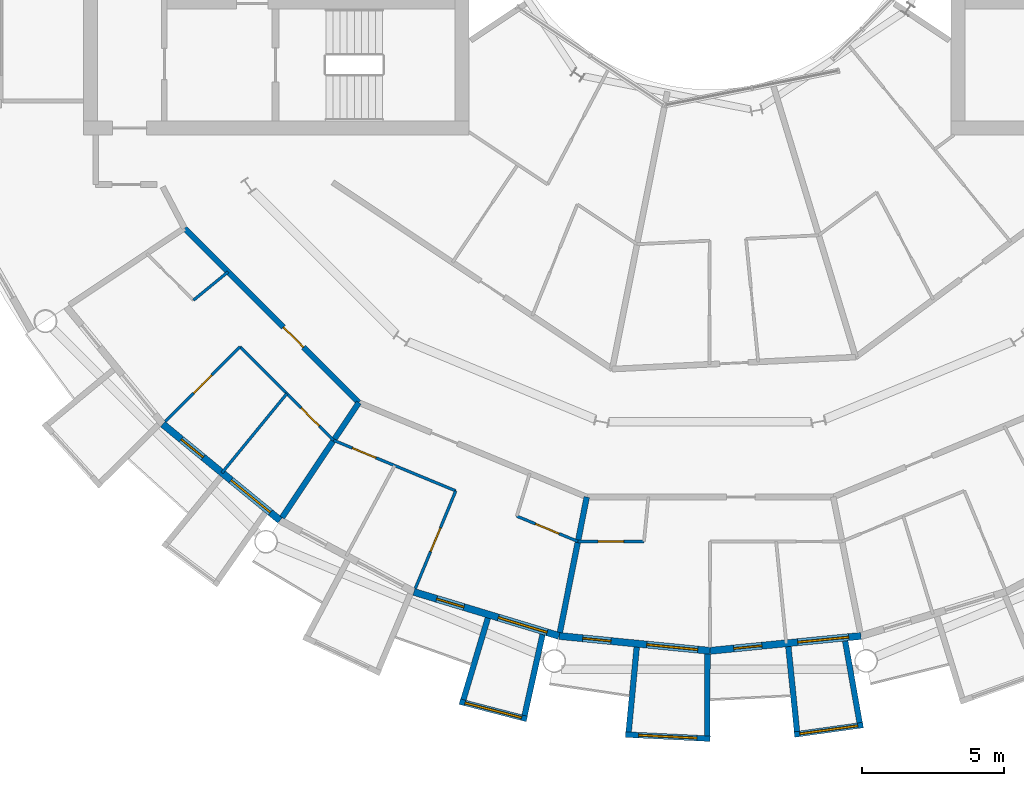
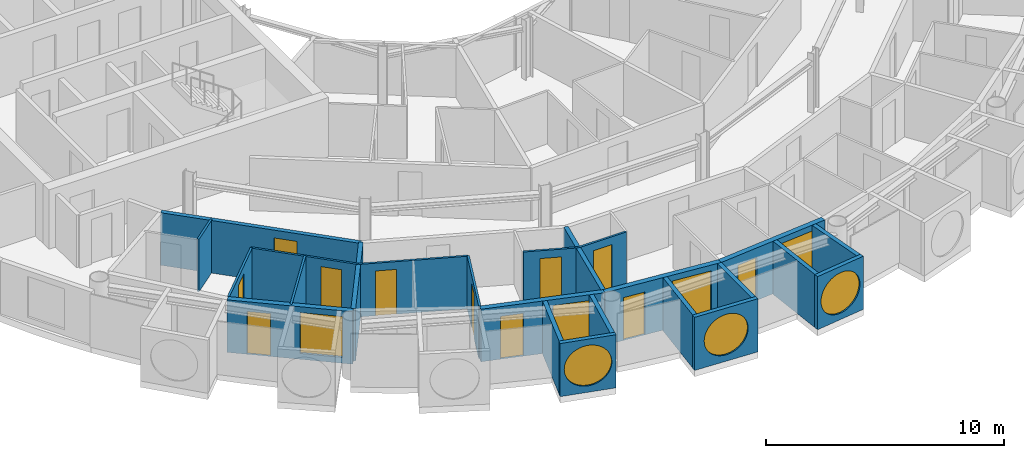
# One storey, part 14 of 27: 24 walls, 11 doors, 7 windows, 18 openings.
"""IFC4 building model written with IfcOpenShell, lengths in metres."""

import ifcopenshell
import ifcopenshell.guid

model = None  # the IFC model being written
_history = None  # IfcOwnerHistory: only IFC2X3 demands one
_inside = {}  # id of a spatial element -> (the spatial element, [elements in it])
_under = {}  # id of a project, library or spatial element -> (it, [spatial elements below it])
_declared = {}  # id of a project -> (the project, [libraries it declares])
_typed = {}  # id of a type object -> (the type object, [elements of that type])
_made_of = {}  # id of a material, layer set ... -> (it, [elements and type objects made of it])


def new_model(schema):
    """Start an empty IFC model of exactly this schema.

    Asked for "IFC4X3", IfcOpenShell would pick the latest addendum, in which some entities
    have other attributes; the version numbers below select the first issue.
    IFC2X3 requires an IfcOwnerHistory on every rooted entity: one is made here for all.
    """
    global model, _history
    if schema == "IFC4X3":
        model = ifcopenshell.file(schema_version=(4, 3, 0, 0))
    else:
        model = ifcopenshell.file(schema=schema)
    _inside.clear()
    _under.clear()
    _declared.clear()
    _typed.clear()
    _made_of.clear()
    _history = None
    if model.schema == "IFC2X3":
        org = make("IfcOrganization", Name="unknown")
        user = make(
            "IfcPersonAndOrganization",
            ThePerson=make("IfcPerson", FamilyName="unknown"),
            TheOrganization=org,
        )
        app = make(
            "IfcApplication",
            ApplicationDeveloper=org,
            Version="unknown",
            ApplicationFullName="unknown",
            ApplicationIdentifier="unknown",
        )
        _history = make(
            "IfcOwnerHistory",
            OwningUser=user,
            OwningApplication=app,
            ChangeAction="ADDED",
            CreationDate=0,
        )
    return model


def make(cls, **values):
    """One entity of the class cls with the attributes given. An attribute that is None is left unset."""
    return model.create_entity(
        cls, **{name: value for name, value in values.items() if value is not None}
    )


def rooted(cls, **values):
    """An entity with a GlobalId (a new one), such as an element, a storey or a relation."""
    return make(cls, GlobalId=ifcopenshell.guid.new(), OwnerHistory=_history, **values)


def si_unit(unit_type, name, prefix=None):
    """IfcSIUnit, for example si_unit("LENGTHUNIT", "METRE", prefix="MILLI")."""
    return make("IfcSIUnit", UnitType=unit_type, Prefix=prefix, Name=name)


def assignment(units):
    """IfcUnitAssignment: the units of a project."""
    return None if units is None else make("IfcUnitAssignment", Units=units)


def point(xyz):
    """IfcCartesianPoint."""
    return None if xyz is None else make("IfcCartesianPoint", Coordinates=xyz)


def direction(xyz):
    """IfcDirection."""
    return None if xyz is None else make("IfcDirection", DirectionRatios=xyz)


def frame(location, z_axis=None, x_axis=None):
    """IfcAxis2Placement3D, a coordinate frame: its origin and axes. An axis left out is left unset."""
    return make(
        "IfcAxis2Placement3D",
        Location=point(location),
        Axis=direction(z_axis),
        RefDirection=direction(x_axis),
    )


def frame_2d(location, x_axis=None):
    """IfcAxis2Placement2D, a coordinate frame in the plane: its origin and x axis."""
    return make(
        "IfcAxis2Placement2D", Location=point(location), RefDirection=direction(x_axis)
    )


def origin():
    """The frame at (0, 0, 0) with its axes left unset."""
    return frame((0.0, 0.0, 0.0))


def place(relative_to, where):
    """IfcLocalPlacement: puts the frame where relative to a parent placement (None: the world)."""
    return make(
        "IfcLocalPlacement", PlacementRelTo=relative_to, RelativePlacement=where
    )


def context(
    kind, dimensions, precision=None, world=None, true_north=None, identifier=None
):
    """IfcGeometricRepresentationContext, for example the 3D "Model" context."""
    return make(
        "IfcGeometricRepresentationContext",
        ContextIdentifier=identifier,
        ContextType=kind,
        CoordinateSpaceDimension=dimensions,
        Precision=precision,
        WorldCoordinateSystem=world,
        TrueNorth=true_north,
    )


def subcontext(parent, identifier, kind, view, scale=None):
    """IfcGeometricRepresentationSubContext, for example "Body" below "Model"."""
    return make(
        "IfcGeometricRepresentationSubContext",
        ContextIdentifier=identifier,
        ContextType=kind,
        ParentContext=parent,
        TargetScale=scale,
        TargetView=view,
    )


def project(units=None, contexts=None):
    """IfcProject with its units and contexts."""
    return rooted(
        "IfcProject",
        Name="project",
        RepresentationContexts=contexts,
        UnitsInContext=assignment(units),
    )


def spatial(cls, under=None, at=None, **own):
    """A site, building, storey or space (cls), placed at a placement, below another one or the project."""
    s = rooted(cls, ObjectPlacement=at, **own)
    if under is not None:
        _under.setdefault(under.id(), (under, []))[1].append(s)
    return s


def profile(cls, at=None, kind="AREA", **sizes):
    """A parametric profile (cls). Its sizes go by their IFC names, for example OverallWidth=200.0."""
    return make(cls, ProfileType=kind, Position=at, **sizes)


def rectangle(**sizes):
    """IfcRectangleProfileDef."""
    return profile("IfcRectangleProfileDef", **sizes)


def circle(**sizes):
    """IfcCircleProfileDef."""
    return profile("IfcCircleProfileDef", **sizes)


def extrude(swept, where, along, depth):
    """IfcExtrudedAreaSolid: the profile swept, set in the frame where, extruded along a direction by depth."""
    return make(
        "IfcExtrudedAreaSolid",
        SweptArea=swept,
        Position=where,
        ExtrudedDirection=direction(along),
        Depth=depth,
    )


def shape(context_of_items, identifier, shape_type, items):
    """IfcShapeRepresentation: the items that make up one representation, for example the "Body"."""
    return make(
        "IfcShapeRepresentation",
        ContextOfItems=context_of_items,
        RepresentationIdentifier=identifier,
        RepresentationType=shape_type,
        Items=items,
    )


def material(Name=None, Category=None):
    """IfcMaterial."""
    return make("IfcMaterial", Name=Name, Category=Category)


def layer(
    of_material, thickness, ventilated=None, Name=None, Category=None, Priority=None
):
    """IfcMaterialLayer: one layer of a wall or slab, of a material (None: an air gap)."""
    return make(
        "IfcMaterialLayer",
        Material=of_material,
        LayerThickness=thickness,
        IsVentilated=ventilated,
        Name=Name,
        Category=Category,
        Priority=Priority,
    )


def layer_set(layers, Name=None):
    """IfcMaterialLayerSet."""
    return make("IfcMaterialLayerSet", MaterialLayers=layers, LayerSetName=Name)


def made_of(thing, what):
    """Note that an element or type object is made of a material, layer set ...; save() writes the relation."""
    if what is not None:
        _made_of.setdefault(what.id(), (what, []))[1].append(thing)
    return thing


def type_object(cls, material=None, **own):
    """A type object (cls), such as IfcWallType, which elements share."""
    return made_of(rooted(cls, **own), material)


def element(
    cls,
    number,
    at=None,
    inside=None,
    cuts=None,
    type_object=None,
    material=None,
    context=None,
    identifier="Body",
    shape_type=None,
    held_by="IfcProductDefinitionShape",
    body=None,
    shapes=None,
    **own,
):
    """One element of the class cls, such as IfcWall. Its Tag is "e" and its number.

    at: its placement. inside: the storey or other place that contains it. cuts: it is an
    opening in that element (IfcRelVoidsElement). A single representation is given by context,
    identifier, shape_type and body (its items); several are given by shapes. held_by: the class
    of the entity that holds the representations. save() writes the other relations.
    """
    e = rooted(cls, Tag="e%d" % number, ObjectPlacement=at, **own)
    if body is not None:
        shapes = [shape(context, identifier, shape_type, body)]
    if shapes is not None:
        e.Representation = make(held_by, Representations=shapes)
    if inside is not None:
        _inside.setdefault(inside.id(), (inside, []))[1].append(e)
    if cuts is not None:
        rooted(
            "IfcRelVoidsElement", RelatingBuildingElement=cuts, RelatedOpeningElement=e
        )
    if type_object is not None:
        _typed.setdefault(type_object.id(), (type_object, []))[1].append(e)
    return made_of(e, material)


def fill(opening, filler):
    """IfcRelFillsElement: the door or window that sits in an opening."""
    return rooted(
        "IfcRelFillsElement",
        RelatingOpeningElement=opening,
        RelatedBuildingElement=filler,
    )


def aggregate(whole, parts):
    """IfcRelAggregates: a whole, such as a stair, and the parts it consists of."""
    return rooted("IfcRelAggregates", RelatingObject=whole, RelatedObjects=parts)


def save(model, path):
    """Write the relations noted so far, then the file.

    IfcRelAggregates (storeys below a building ...), IfcRelContainedInSpatialStructure (elements
    in a storey), IfcRelDefinesByType, IfcRelAssociatesMaterial and IfcRelDeclares: one each for
    every whole, place, type object, material and project.
    """
    for whole, parts in _under.values():
        aggregate(whole, parts)
    for where, things in _inside.values():
        rooted(
            "IfcRelContainedInSpatialStructure",
            RelatedElements=things,
            RelatingStructure=where,
        )
    for kind, things in _typed.values():
        rooted("IfcRelDefinesByType", RelatedObjects=things, RelatingType=kind)
    for what, things in _made_of.values():
        rooted("IfcRelAssociatesMaterial", RelatedObjects=things, RelatingMaterial=what)
    for by, libraries in _declared.values():
        rooted("IfcRelDeclares", RelatingContext=by, RelatedDefinitions=libraries)
    model.write(path)


model = new_model("IFC4")

# Units and contexts
model_context = context("Model", 3, precision=1e-05, world=origin(), true_north=direction((0.0, 1.0)))
body_context = subcontext(model_context, "Body", "Model", "MODEL_VIEW")
ifc_project = project(units=[si_unit("LENGTHUNIT", "METRE"), si_unit("AREAUNIT", "SQUARE_METRE"), si_unit("VOLUMEUNIT", "CUBIC_METRE"), si_unit("PLANEANGLEUNIT", "RADIAN"), si_unit("MASSUNIT", "GRAM", prefix="KILO")], contexts=[model_context])

# Site, building, storey
site_placement = place(None, origin())
site = spatial("IfcSite", under=ifc_project, at=site_placement, CompositionType="ELEMENT")
building_placement = place(site_placement, origin())
building = spatial("IfcBuilding", under=site, at=building_placement, Name="Maasbend Ring Residences", CompositionType="ELEMENT")
storey_placement = place(building_placement, frame((0.0, 0.0, 170.75)))
storey = spatial("IfcBuildingStorey", under=building, at=storey_placement, Name="L49", CompositionType="ELEMENT", Elevation=170.75)

# Wall, opening, door
ifc_material_1 = material(Name="Concrete C30/37", Category="concrete")
ifc_layer_1 = layer(ifc_material_1, 0.199951171875)
ifc_layer_set_1 = layer_set([ifc_layer_1], Name="Concrete C30/37")
wall_type_1 = type_object("IfcWallType", Name="CORRIDOR WALL 200 CONCRETE", PredefinedType="PARTITIONING", material=ifc_layer_set_1)
wall_1_placement = place(storey_placement, frame((-18.5419921875, -12.388916015625, 0.0), z_axis=(0.0, 0.0, 1.0), x_axis=(0.707106781187, -0.707106781187, 0.0)))
wall_1 = element("IfcWall", 1, at=wall_1_placement, inside=storey, type_object=wall_type_1, Name="U-L49-w013", PredefinedType="PARTITIONING", context=body_context, shape_type="SweptSolid", body=[
    extrude(rectangle(XDim=8.70166015625, YDim=0.199951171875, at=frame_2d((4.350830078125, 0.0))), origin(), (0.0, 0.0, 1.0), 2.699951171875),
])
opening_1_placement = place(wall_1_placement, frame((4.93798828125, 0.0, 0.0)))
opening_1 = element("IfcOpeningElement", 2, at=opening_1_placement, cuts=wall_1, Name="Opening D-4934", PredefinedType="OPENING", context=body_context, shape_type="SweptSolid", body=[
    extrude(rectangle(XDim=1.0, YDim=2.300048828125, at=frame_2d((0.5, 1.14990234375))), frame((0.0, 0.10986328125, 0.0), z_axis=(0.0, -1.0, 0.0), x_axis=(1.0, 0.0, 0.0)), (0.0, 0.0, 1.0), 0.219970703125),
])
ifc_material_2 = material(Name="Timber, fire-rated, painted", Category="wood")
door_type_1 = type_object("IfcDoorType", Name="FLAT ENTRANCE DOOR 1000 X 2300 FIRE-RATED", OperationType="NOTDEFINED", PredefinedType="DOOR", material=ifc_material_2)
door_1_placement = place(opening_1_placement, origin())
door_1 = element("IfcDoor", 3, at=door_1_placement, inside=storey, type_object=door_type_1, Name="D-4934", OperationType="SINGLE_SWING_RIGHT", OverallHeight=2.300048828125, OverallWidth=1.0, PredefinedType="DOOR", context=body_context, shape_type="SweptSolid", body=[
    extrude(rectangle(XDim=1.0, YDim=2.300048828125, at=frame_2d((0.5, 1.14990234375))), frame((0.0, 0.02490234375, 0.0), z_axis=(0.0, -1.0, 0.0), x_axis=(1.0, 0.0, 0.0)), (0.0, 0.0, 1.0), 0.050048828125),
])
fill(opening_1, door_1)

# Wall, opening, window
ifc_material_3 = material(Name="Pale anodised aluminium panel", Category="aluminium")
ifc_layer_2 = layer(ifc_material_3, 0.199951171875)
ifc_layer_set_2 = layer_set([ifc_layer_2], Name="EW-BOX")
wall_type_2 = type_object("IfcWallType", Name="EW-BOX", PredefinedType="SOLIDWALL", material=ifc_layer_set_2)
wall_2_placement = place(storey_placement, frame((-8.8291015625, -29.090087890625, -0.030029296875), z_axis=(0.0, 0.0, 1.0), x_axis=(0.96789536872, -0.251353446784, 0.0)))
wall_2 = element("IfcWall", 4, at=wall_2_placement, inside=storey, type_object=wall_type_2, Name="Box front S08", PredefinedType="SOLIDWALL", context=body_context, shape_type="SweptSolid", body=[
    extrude(rectangle(XDim=2.44677734375, YDim=0.199951171875, at=frame_2d((1.223388671875, 0.0))), origin(), (0.0, 0.0, 1.0), 2.72998046875),
])
opening_2_placement = place(wall_2_placement, frame((0.182861328125, 0.0, 0.330078125)))
opening_2 = element("IfcOpeningElement", 5, at=opening_2_placement, cuts=wall_2, Name="Opening W-RD", PredefinedType="OPENING", context=body_context, shape_type="SweptSolid", body=[
    extrude(circle(Radius=1.0400390625, at=frame_2d((1.0400390625, 1.0400390625))), frame((0.0, 0.10986328125, 0.0), z_axis=(0.0, -1.0, 0.0), x_axis=(1.0, 0.0, 0.0)), (0.0, 0.0, 1.0), 0.219970703125),
])
ifc_material_4 = material(Name="Aluminium and clear glass", Category="aluminium")
window_type_1 = type_object("IfcWindowType", Name="W-RD", PartitioningType="SINGLE_PANEL", PredefinedType="WINDOW", material=ifc_material_4)
window_1_placement = place(opening_2_placement, origin())
window_1 = element("IfcWindow", 6, at=window_1_placement, inside=storey, type_object=window_type_1, Name="Round window S08", OverallHeight=2.080078125, OverallWidth=2.080078125, PartitioningType="SINGLE_PANEL", PredefinedType="WINDOW", context=body_context, shape_type="SweptSolid", body=[
    extrude(circle(Radius=1.0400390625, at=frame_2d((1.0400390625, 1.0400390625))), frame((0.0, 0.030029296875, 0.0), z_axis=(0.0, -1.0, 0.0), x_axis=(1.0, 0.0, 0.0)), (0.0, 0.0, 1.0), 0.06005859375),
])
fill(opening_2, window_1)

# Walls
wall_3_placement = place(storey_placement, frame((-7.8369140625, -26.14404296875, -0.030029296875), z_axis=(0.0, 0.0, 1.0), x_axis=(-0.287064767992, -0.957911174889, 0.0)))
element("IfcWall", 7, at=wall_3_placement, inside=storey, type_object=wall_type_2, Name="Box side wall S08 left", PredefinedType="SOLIDWALL", context=body_context, shape_type="SweptSolid", body=[
    extrude(rectangle(XDim=3.00634765625, YDim=0.199951171875, at=frame_2d((1.503173828125, 0.0))), origin(), (0.0, 0.0, 1.0), 2.72998046875),
])
wall_4_placement = place(storey_placement, frame((-5.908935546875, -26.72900390625, -0.030029296875), z_axis=(0.0, 0.0, 1.0), x_axis=(-0.216409053917, -0.976302781612, 0.0)))
element("IfcWall", 8, at=wall_4_placement, inside=storey, type_object=wall_type_2, Name="Box side wall S08 right", PredefinedType="SOLIDWALL", context=body_context, shape_type="SweptSolid", body=[
    extrude(rectangle(XDim=2.92529296875, YDim=0.199951171875, at=frame_2d((1.462646484375, 0.0))), origin(), (0.0, 0.0, 1.0), 2.72998046875),
])

# Wall, opening, window
wall_5_placement = place(storey_placement, frame((-2.985107421875, -30.2529296875, -0.030029296875), z_axis=(0.0, 0.0, 1.0), x_axis=(0.998794083011, -0.049095618353, 0.0)))
wall_5 = element("IfcWall", 9, at=wall_5_placement, inside=storey, type_object=wall_type_2, Name="Box front S10", PredefinedType="SOLIDWALL", context=body_context, shape_type="SweptSolid", body=[
    extrude(rectangle(XDim=2.99365234375, YDim=0.199951171875, at=frame_2d((1.496826171875, 0.0))), origin(), (0.0, 0.0, 1.0), 2.72998046875),
])
opening_3_placement = place(wall_5_placement, frame((0.45654296875, 0.0, 0.330078125)))
opening_3 = element("IfcOpeningElement", 10, at=opening_3_placement, cuts=wall_5, Name="Opening W-RD", PredefinedType="OPENING", context=body_context, shape_type="SweptSolid", body=[
    extrude(circle(Radius=1.0400390625, at=frame_2d((1.0400390625, 1.0400390625))), frame((0.0, 0.10986328125, 0.0), z_axis=(0.0, -1.0, 0.0), x_axis=(1.0, 0.0, 0.0)), (0.0, 0.0, 1.0), 0.219970703125),
])
window_2_placement = place(opening_3_placement, origin())
window_2 = element("IfcWindow", 11, at=window_2_placement, inside=storey, type_object=window_type_1, Name="Round window S10", OverallHeight=2.080078125, OverallWidth=2.080078125, PartitioningType="SINGLE_PANEL", PredefinedType="WINDOW", context=body_context, shape_type="SweptSolid", body=[
    extrude(circle(Radius=1.0400390625, at=frame_2d((1.0400390625, 1.0400390625))), frame((0.0, 0.030029296875, 0.0), z_axis=(0.0, -1.0, 0.0), x_axis=(1.0, 0.0, 0.0)), (0.0, 0.0, 1.0), 0.06005859375),
])
fill(opening_3, window_2)

# Walls
wall_6_placement = place(storey_placement, frame((-2.5859375, -27.1708984375, -0.030029296875), z_axis=(0.0, 0.0, 1.0), x_axis=(-0.094548432284, -0.995520262954, 0.0)))
element("IfcWall", 12, at=wall_6_placement, inside=storey, type_object=wall_type_2, Name="Box side wall S10 left", PredefinedType="SOLIDWALL", context=body_context, shape_type="SweptSolid", body=[
    extrude(rectangle(XDim=3.005615234375, YDim=0.199951171875, at=frame_2d((1.5029296875, 0.0))), origin(), (0.0, 0.0, 1.0), 2.72998046875),
])
wall_7_placement = place(storey_placement, frame((-0.090087890625, -27.4169921875, -0.030029296875), z_axis=(0.0, 0.0, 1.0), x_axis=(-0.00347308367, -0.999993968827, 0.0)))
element("IfcWall", 13, at=wall_7_placement, inside=storey, type_object=wall_type_2, Name="Box side wall S10 right", PredefinedType="SOLIDWALL", context=body_context, shape_type="SweptSolid", body=[
    extrude(rectangle(XDim=2.882080078125, YDim=0.199951171875, at=frame_2d((1.44091796875, 0.0))), origin(), (0.0, 0.0, 1.0), 2.72998046875),
])

# Wall, opening, window
wall_8_placement = place(storey_placement, frame((2.97607421875, -30.25390625, -0.030029296875), z_axis=(0.0, 0.0, 1.0), x_axis=(0.990462016113, 0.137786046596, 0.0)))
wall_8 = element("IfcWall", 14, at=wall_8_placement, inside=storey, type_object=wall_type_2, Name="Box front S12", PredefinedType="SOLIDWALL", context=body_context, shape_type="SweptSolid", body=[
    extrude(rectangle(XDim=2.4453125, YDim=0.199951171875, at=frame_2d((1.22265625, 0.0))), origin(), (0.0, 0.0, 1.0), 2.72998046875),
])
opening_4_placement = place(wall_8_placement, frame((0.182861328125, 0.0, 0.330078125)))
opening_4 = element("IfcOpeningElement", 15, at=opening_4_placement, cuts=wall_8, Name="Opening W-RD", PredefinedType="OPENING", context=body_context, shape_type="SweptSolid", body=[
    extrude(circle(Radius=1.0400390625, at=frame_2d((1.0400390625, 1.0400390625))), frame((0.0, 0.10986328125, 0.0), z_axis=(0.0, -1.0, 0.0), x_axis=(1.0, 0.0, 0.0)), (0.0, 0.0, 1.0), 0.219970703125),
])
window_3_placement = place(opening_4_placement, origin())
window_3 = element("IfcWindow", 16, at=window_3_placement, inside=storey, type_object=window_type_1, Name="Round window S12", OverallHeight=2.080078125, OverallWidth=2.080078125, PartitioningType="SINGLE_PANEL", PredefinedType="WINDOW", context=body_context, shape_type="SweptSolid", body=[
    extrude(circle(Radius=1.0400390625, at=frame_2d((1.0400390625, 1.0400390625))), frame((0.0, 0.030029296875, 0.0), z_axis=(0.0, -1.0, 0.0), x_axis=(1.0, 0.0, 0.0)), (0.0, 0.0, 1.0), 0.06005859375),
])
fill(opening_4, window_3)

# Walls
wall_9_placement = place(storey_placement, frame((2.763916015625, -27.153076171875, -0.030029296875), z_axis=(0.0, 0.0, 1.0), x_axis=(0.101505487237, -0.994834979311, 0.0)))
element("IfcWall", 17, at=wall_9_placement, inside=storey, type_object=wall_type_2, Name="Box side wall S12 left", PredefinedType="SOLIDWALL", context=body_context, shape_type="SweptSolid", body=[
    extrude(rectangle(XDim=3.006591796875, YDim=0.199951171875, at=frame_2d((1.50341796875, 0.0))), origin(), (0.0, 0.0, 1.0), 2.72998046875),
])
wall_10_placement = place(storey_placement, frame((4.76904296875, -26.9560546875, -0.030029296875), z_axis=(0.0, 0.0, 1.0), x_axis=(0.174056778901, -0.984735618183, 0.0)))
element("IfcWall", 18, at=wall_10_placement, inside=storey, type_object=wall_type_2, Name="Box side wall S12 right", PredefinedType="SOLIDWALL", context=body_context, shape_type="SweptSolid", body=[
    extrude(rectangle(XDim=2.924560546875, YDim=0.199951171875, at=frame_2d((1.46240234375, 0.0))), origin(), (0.0, 0.0, 1.0), 2.72998046875),
])

# Wall, openings, door, window
ifc_material_5 = material(Name="Aluminium clad insulated panel", Category="aluminium")
ifc_layer_3 = layer(ifc_material_5, 0.25)
ifc_layer_set_3 = layer_set([ifc_layer_3], Name="EW-GL")
wall_type_3 = type_object("IfcWallType", Name="EW-GL", PredefinedType="SOLIDWALL", material=ifc_layer_set_3)
wall_11_placement = place(storey_placement, frame((-19.303955078125, -19.303955078125, 0.0), z_axis=(0.0, 0.0, 1.0), x_axis=(0.773019449054, -0.634382322723, 0.0)))
wall_11 = element("IfcWall", 19, at=wall_11_placement, inside=storey, type_object=wall_type_3, Name="External wall S02", PredefinedType="SOLIDWALL", context=body_context, shape_type="SweptSolid", body=[
    extrude(rectangle(XDim=5.351806640625, YDim=0.25, at=frame_2d((2.67578125, 0.0))), origin(), (0.0, 0.0, 1.0), 2.699951171875),
])
opening_5_placement = place(wall_11_placement, frame((0.841064453125, 0.0, 0.0)))
opening_5 = element("IfcOpeningElement", 20, at=opening_5_placement, cuts=wall_11, Name="Opening D-LG", PredefinedType="OPENING", context=body_context, shape_type="SweptSolid", body=[
    extrude(rectangle(XDim=1.0, YDim=2.199951171875, at=frame_2d((0.5, 1.10009765625))), frame((0.0, 0.135009765625, 0.0), z_axis=(0.0, -1.0, 0.0), x_axis=(1.0, 0.0, 0.0)), (0.0, 0.0, 1.0), 0.27001953125),
])
opening_6_placement = place(wall_11_placement, frame((3.110595703125, 0.0, 0.300048828125)))
opening_6 = element("IfcOpeningElement", 21, at=opening_6_placement, cuts=wall_11, Name="Opening W-BX", PredefinedType="OPENING", context=body_context, shape_type="SweptSolid", body=[
    extrude(rectangle(XDim=1.800048828125, YDim=2.10009765625, at=frame_2d((0.89990234375, 1.050048828125))), frame((0.0, 0.135009765625, 0.0), z_axis=(0.0, -1.0, 0.0), x_axis=(1.0, 0.0, 0.0)), (0.0, 0.0, 1.0), 0.27001953125),
])
ifc_material_6 = material(Name="Aluminium and clear glass", Category="aluminium")
door_type_2 = type_object("IfcDoorType", Name="D-LG", OperationType="SINGLE_SWING_LEFT", PredefinedType="DOOR", material=ifc_material_6)
door_2_placement = place(opening_5_placement, origin())
door_2 = element("IfcDoor", 22, at=door_2_placement, inside=storey, type_object=door_type_2, Name="Loggia door S03", OperationType="SINGLE_SWING_LEFT", OverallHeight=2.199951171875, OverallWidth=1.0, PredefinedType="DOOR", context=body_context, shape_type="SweptSolid", body=[
    extrude(rectangle(XDim=1.0, YDim=2.199951171875, at=frame_2d((0.5, 1.10009765625))), frame((0.0, 0.02490234375, 0.0), z_axis=(0.0, -1.0, 0.0), x_axis=(1.0, 0.0, 0.0)), (0.0, 0.0, 1.0), 0.050048828125),
])
fill(opening_5, door_2)
ifc_material_7 = material(Name="Aluminium and clear glass", Category="aluminium")
window_type_2 = type_object("IfcWindowType", Name="W-BX", PartitioningType="DOUBLE_PANEL_VERTICAL", PredefinedType="WINDOW", material=ifc_material_7)
window_4_placement = place(opening_6_placement, origin())
window_4 = element("IfcWindow", 23, at=window_4_placement, inside=storey, type_object=window_type_2, Name="Window S04 room to box", OverallHeight=2.10009765625, OverallWidth=1.800048828125, PartitioningType="SINGLE_PANEL", PredefinedType="WINDOW", context=body_context, shape_type="SweptSolid", body=[
    extrude(rectangle(XDim=1.800048828125, YDim=2.10009765625, at=frame_2d((0.89990234375, 1.050048828125))), frame((0.0, 0.030029296875, 0.0), z_axis=(0.0, -1.0, 0.0), x_axis=(1.0, 0.0, 0.0)), (0.0, 0.0, 1.0), 0.06005859375),
])
fill(opening_6, window_4)

wall_12_placement = place(storey_placement, frame((-10.447021484375, -25.221923828125, 0.0), z_axis=(0.0, 0.0, 1.0), x_axis=(0.956965678721, -0.290201119486, 0.0)))
wall_12 = element("IfcWall", 24, at=wall_12_placement, inside=storey, type_object=wall_type_3, Name="External wall S04", PredefinedType="SOLIDWALL", context=body_context, shape_type="SweptSolid", body=[
    extrude(rectangle(XDim=5.351318359375, YDim=0.25, at=frame_2d((2.67578125, 0.0))), origin(), (0.0, 0.0, 1.0), 2.699951171875),
])
opening_7_placement = place(wall_12_placement, frame((0.841064453125, 0.0, 0.0)))
opening_7 = element("IfcOpeningElement", 25, at=opening_7_placement, cuts=wall_12, Name="Opening D-LG", PredefinedType="OPENING", context=body_context, shape_type="SweptSolid", body=[
    extrude(rectangle(XDim=1.0, YDim=2.199951171875, at=frame_2d((0.5, 1.10009765625))), frame((0.0, 0.135009765625, 0.0), z_axis=(0.0, -1.0, 0.0), x_axis=(1.0, 0.0, 0.0)), (0.0, 0.0, 1.0), 0.27001953125),
])
opening_8_placement = place(wall_12_placement, frame((3.110595703125, 0.0, 0.300048828125)))
opening_8 = element("IfcOpeningElement", 26, at=opening_8_placement, cuts=wall_12, Name="Opening W-BX", PredefinedType="OPENING", context=body_context, shape_type="SweptSolid", body=[
    extrude(rectangle(XDim=1.800048828125, YDim=2.10009765625, at=frame_2d((0.89990234375, 1.050048828125))), frame((0.0, 0.135009765625, 0.0), z_axis=(0.0, -1.0, 0.0), x_axis=(1.0, 0.0, 0.0)), (0.0, 0.0, 1.0), 0.27001953125),
])
door_3_placement = place(opening_7_placement, origin())
door_3 = element("IfcDoor", 27, at=door_3_placement, inside=storey, type_object=door_type_2, Name="Loggia door S07", OperationType="SINGLE_SWING_LEFT", OverallHeight=2.199951171875, OverallWidth=1.0, PredefinedType="DOOR", context=body_context, shape_type="SweptSolid", body=[
    extrude(rectangle(XDim=1.0, YDim=2.199951171875, at=frame_2d((0.5, 1.10009765625))), frame((0.0, 0.02490234375, 0.0), z_axis=(0.0, -1.0, 0.0), x_axis=(1.0, 0.0, 0.0)), (0.0, 0.0, 1.0), 0.050048828125),
])
fill(opening_7, door_3)
window_5_placement = place(opening_8_placement, origin())
window_5 = element("IfcWindow", 28, at=window_5_placement, inside=storey, type_object=window_type_2, Name="Window S08 room to box", OverallHeight=2.10009765625, OverallWidth=1.800048828125, PartitioningType="SINGLE_PANEL", PredefinedType="WINDOW", context=body_context, shape_type="SweptSolid", body=[
    extrude(rectangle(XDim=1.800048828125, YDim=2.10009765625, at=frame_2d((0.89990234375, 1.050048828125))), frame((0.0, 0.030029296875, 0.0), z_axis=(0.0, -1.0, 0.0), x_axis=(1.0, 0.0, 0.0)), (0.0, 0.0, 1.0), 0.06005859375),
])
fill(opening_8, window_5)

wall_13_placement = place(storey_placement, frame((-5.325927734375, -26.77490234375, 0.0), z_axis=(0.0, 0.0, 1.0), x_axis=(0.995173996315, -0.098126026407, 0.0)))
wall_13 = element("IfcWall", 29, at=wall_13_placement, inside=storey, type_object=wall_type_3, Name="External wall S05", PredefinedType="SOLIDWALL", context=body_context, shape_type="SweptSolid", body=[
    extrude(rectangle(XDim=5.351806640625, YDim=0.25, at=frame_2d((2.67578125, 0.0))), origin(), (0.0, 0.0, 1.0), 2.699951171875),
])
opening_9_placement = place(wall_13_placement, frame((0.841064453125, 0.0, 0.0)))
opening_9 = element("IfcOpeningElement", 30, at=opening_9_placement, cuts=wall_13, Name="Opening D-LG", PredefinedType="OPENING", context=body_context, shape_type="SweptSolid", body=[
    extrude(rectangle(XDim=1.0, YDim=2.199951171875, at=frame_2d((0.5, 1.10009765625))), frame((0.0, 0.135009765625, 0.0), z_axis=(0.0, -1.0, 0.0), x_axis=(1.0, 0.0, 0.0)), (0.0, 0.0, 1.0), 0.27001953125),
])
opening_10_placement = place(wall_13_placement, frame((3.110595703125, 0.0, 0.300048828125)))
opening_10 = element("IfcOpeningElement", 31, at=opening_10_placement, cuts=wall_13, Name="Opening W-BX", PredefinedType="OPENING", context=body_context, shape_type="SweptSolid", body=[
    extrude(rectangle(XDim=1.800048828125, YDim=2.10009765625, at=frame_2d((0.89990234375, 1.050048828125))), frame((0.0, 0.135009765625, 0.0), z_axis=(0.0, -1.0, 0.0), x_axis=(1.0, 0.0, 0.0)), (0.0, 0.0, 1.0), 0.27001953125),
])
door_4_placement = place(opening_9_placement, origin())
door_4 = element("IfcDoor", 32, at=door_4_placement, inside=storey, type_object=door_type_2, Name="Loggia door S09", OperationType="SINGLE_SWING_LEFT", OverallHeight=2.199951171875, OverallWidth=1.0, PredefinedType="DOOR", context=body_context, shape_type="SweptSolid", body=[
    extrude(rectangle(XDim=1.0, YDim=2.199951171875, at=frame_2d((0.5, 1.10009765625))), frame((0.0, 0.02490234375, 0.0), z_axis=(0.0, -1.0, 0.0), x_axis=(1.0, 0.0, 0.0)), (0.0, 0.0, 1.0), 0.050048828125),
])
fill(opening_9, door_4)
window_6_placement = place(opening_10_placement, origin())
window_6 = element("IfcWindow", 33, at=window_6_placement, inside=storey, type_object=window_type_2, Name="Window S10 room to box", OverallHeight=2.10009765625, OverallWidth=1.800048828125, PartitioningType="SINGLE_PANEL", PredefinedType="WINDOW", context=body_context, shape_type="SweptSolid", body=[
    extrude(rectangle(XDim=1.800048828125, YDim=2.10009765625, at=frame_2d((0.89990234375, 1.050048828125))), frame((0.0, 0.030029296875, 0.0), z_axis=(0.0, -1.0, 0.0), x_axis=(1.0, 0.0, 0.0)), (0.0, 0.0, 1.0), 0.06005859375),
])
fill(opening_10, window_6)

wall_14_placement = place(storey_placement, frame((0.0, -27.300048828125, 0.0), z_axis=(0.0, 0.0, 1.0), x_axis=(0.995173996315, 0.098126026407, 0.0)))
wall_14 = element("IfcWall", 34, at=wall_14_placement, inside=storey, type_object=wall_type_3, Name="External wall S06", PredefinedType="SOLIDWALL", context=body_context, shape_type="SweptSolid", body=[
    extrude(rectangle(XDim=5.351806640625, YDim=0.25, at=frame_2d((2.67578125, 0.0))), origin(), (0.0, 0.0, 1.0), 2.699951171875),
])
opening_11_placement = place(wall_14_placement, frame((0.841064453125, 0.0, 0.0)))
opening_11 = element("IfcOpeningElement", 35, at=opening_11_placement, cuts=wall_14, Name="Opening D-LG", PredefinedType="OPENING", context=body_context, shape_type="SweptSolid", body=[
    extrude(rectangle(XDim=1.0, YDim=2.199951171875, at=frame_2d((0.5, 1.10009765625))), frame((0.0, 0.135009765625, 0.0), z_axis=(0.0, -1.0, 0.0), x_axis=(1.0, 0.0, 0.0)), (0.0, 0.0, 1.0), 0.27001953125),
])
opening_12_placement = place(wall_14_placement, frame((3.110595703125, 0.0, 0.300048828125)))
opening_12 = element("IfcOpeningElement", 36, at=opening_12_placement, cuts=wall_14, Name="Opening W-BX", PredefinedType="OPENING", context=body_context, shape_type="SweptSolid", body=[
    extrude(rectangle(XDim=1.800048828125, YDim=2.10009765625, at=frame_2d((0.89990234375, 1.050048828125))), frame((0.0, 0.135009765625, 0.0), z_axis=(0.0, -1.0, 0.0), x_axis=(1.0, 0.0, 0.0)), (0.0, 0.0, 1.0), 0.27001953125),
])
door_5_placement = place(opening_11_placement, origin())
door_5 = element("IfcDoor", 37, at=door_5_placement, inside=storey, type_object=door_type_2, Name="Loggia door S11", OperationType="SINGLE_SWING_LEFT", OverallHeight=2.199951171875, OverallWidth=1.0, PredefinedType="DOOR", context=body_context, shape_type="SweptSolid", body=[
    extrude(rectangle(XDim=1.0, YDim=2.199951171875, at=frame_2d((0.5, 1.10009765625))), frame((0.0, 0.02490234375, 0.0), z_axis=(0.0, -1.0, 0.0), x_axis=(1.0, 0.0, 0.0)), (0.0, 0.0, 1.0), 0.050048828125),
])
fill(opening_11, door_5)
window_7_placement = place(opening_12_placement, origin())
window_7 = element("IfcWindow", 38, at=window_7_placement, inside=storey, type_object=window_type_2, Name="Window S12 room to box", OverallHeight=2.10009765625, OverallWidth=1.800048828125, PartitioningType="SINGLE_PANEL", PredefinedType="WINDOW", context=body_context, shape_type="SweptSolid", body=[
    extrude(rectangle(XDim=1.800048828125, YDim=2.10009765625, at=frame_2d((0.89990234375, 1.050048828125))), frame((0.0, 0.030029296875, 0.0), z_axis=(0.0, -1.0, 0.0), x_axis=(1.0, 0.0, 0.0)), (0.0, 0.0, 1.0), 0.06005859375),
])
fill(opening_12, window_7)

# Wall, opening, door
ifc_material_8 = material(Name="Gypsum board on steel studs", Category="steel")
ifc_layer_4 = layer(ifc_material_8, 0.10009765625)
ifc_layer_set_4 = layer_set([ifc_layer_4], Name="PARTITION 100 GYPSUM")
wall_type_4 = type_object("IfcWallType", Name="PARTITION 100 GYPSUM", PredefinedType="PARTITIONING", material=ifc_layer_set_4)
wall_15_placement = place(storey_placement, frame((-16.5810546875, -16.571044921875, 0.0), z_axis=(0.0, 0.0, 1.0), x_axis=(0.706923494552, -0.707290020325, 0.0)))
wall_15 = element("IfcWall", 39, at=wall_15_placement, inside=storey, type_object=wall_type_4, Name="U-L49-w002", PredefinedType="PARTITIONING", context=body_context, shape_type="SweptSolid", body=[
    extrude(rectangle(XDim=4.66259765625, YDim=0.10009765625, at=frame_2d((2.331298828125, 0.0))), origin(), (0.0, 0.0, 1.0), 2.699951171875),
])
opening_13_placement = place(wall_15_placement, frame((3.051025390625, 0.0, 0.0)))
opening_13 = element("IfcOpeningElement", 40, at=opening_13_placement, cuts=wall_15, Name="Opening D-4937", PredefinedType="OPENING", context=body_context, shape_type="SweptSolid", body=[
    extrude(rectangle(XDim=0.89990234375, YDim=2.300048828125, at=frame_2d((0.449951171875, 1.14990234375))), frame((0.0, 0.06005859375, 0.0), z_axis=(0.0, -1.0, 0.0), x_axis=(1.0, 0.0, 0.0)), (0.0, 0.0, 1.0), 0.1201171875),
])
ifc_material_9 = material(Name="Timber, painted", Category="wood")
door_type_3 = type_object("IfcDoorType", Name="INTERNAL DOOR 900 X 2300", OperationType="NOTDEFINED", PredefinedType="DOOR", material=ifc_material_9)
door_6_placement = place(opening_13_placement, origin())
door_6 = element("IfcDoor", 41, at=door_6_placement, inside=storey, type_object=door_type_3, Name="D-4937", OperationType="SINGLE_SWING_RIGHT", OverallHeight=2.300048828125, OverallWidth=0.89990234375, PredefinedType="DOOR", context=body_context, shape_type="SweptSolid", body=[
    extrude(rectangle(XDim=0.89990234375, YDim=2.300048828125, at=frame_2d((0.449951171875, 1.14990234375))), frame((0.0, 0.02490234375, 0.0), z_axis=(0.0, -1.0, 0.0), x_axis=(1.0, 0.0, 0.0)), (0.0, 0.0, 1.0), 0.050048828125),
])
fill(opening_13, door_6)

wall_16_placement = place(storey_placement, frame((-13.278076171875, -19.873046875, 0.0), z_axis=(0.0, 0.0, 1.0), x_axis=(0.923920484476, -0.38258455061, 0.0)))
wall_16 = element("IfcWall", 42, at=wall_16_placement, inside=storey, type_object=wall_type_4, Name="U-L49-w003", PredefinedType="PARTITIONING", context=body_context, shape_type="SweptSolid", body=[
    extrude(rectangle(XDim=4.662841796875, YDim=0.10009765625, at=frame_2d((2.33154296875, 0.0))), origin(), (0.0, 0.0, 1.0), 2.699951171875),
])
opening_14_placement = place(wall_16_placement, frame((0.715087890625, 0.0, 0.0)))
opening_14 = element("IfcOpeningElement", 43, at=opening_14_placement, cuts=wall_16, Name="Opening D-4941", PredefinedType="OPENING", context=body_context, shape_type="SweptSolid", body=[
    extrude(rectangle(XDim=0.89990234375, YDim=2.300048828125, at=frame_2d((0.449951171875, 1.14990234375))), frame((0.0, 0.06005859375, 0.0), z_axis=(0.0, -1.0, 0.0), x_axis=(1.0, 0.0, 0.0)), (0.0, 0.0, 1.0), 0.1201171875),
])
door_7_placement = place(opening_14_placement, origin())
door_7 = element("IfcDoor", 44, at=door_7_placement, inside=storey, type_object=door_type_3, Name="D-4941", OperationType="SINGLE_SWING_LEFT", OverallHeight=2.300048828125, OverallWidth=0.89990234375, PredefinedType="DOOR", context=body_context, shape_type="SweptSolid", body=[
    extrude(rectangle(XDim=0.89990234375, YDim=2.300048828125, at=frame_2d((0.449951171875, 1.14990234375))), frame((0.0, 0.02490234375, 0.0), z_axis=(0.0, -1.0, 0.0), x_axis=(1.0, 0.0, 0.0)), (0.0, 0.0, 1.0), 0.050048828125),
])
fill(opening_14, door_7)

wall_17_placement = place(storey_placement, frame((-6.81689453125, -22.549072265625, 0.0), z_axis=(0.0, 0.0, 1.0), x_axis=(0.923923664861, -0.382576870068, 0.0)))
wall_17 = element("IfcWall", 45, at=wall_17_placement, inside=storey, type_object=wall_type_4, Name="U-L49-w004", PredefinedType="PARTITIONING", context=body_context, shape_type="SweptSolid", body=[
    extrude(rectangle(XDim=2.3310546875, YDim=0.10009765625, at=frame_2d((1.16552734375, 0.0))), origin(), (0.0, 0.0, 1.0), 2.699951171875),
])
opening_15_placement = place(wall_17_placement, frame((0.716064453125, 0.0, 0.0)))
opening_15 = element("IfcOpeningElement", 46, at=opening_15_placement, cuts=wall_17, Name="Opening D-4939", PredefinedType="OPENING", context=body_context, shape_type="SweptSolid", body=[
    extrude(rectangle(XDim=0.89990234375, YDim=2.300048828125, at=frame_2d((0.449951171875, 1.14990234375))), frame((0.0, 0.06005859375, 0.0), z_axis=(0.0, -1.0, 0.0), x_axis=(1.0, 0.0, 0.0)), (0.0, 0.0, 1.0), 0.1201171875),
])
door_8_placement = place(opening_15_placement, origin())
door_8 = element("IfcDoor", 47, at=door_8_placement, inside=storey, type_object=door_type_3, Name="D-4939", OperationType="SINGLE_SWING_LEFT", OverallHeight=2.300048828125, OverallWidth=0.89990234375, PredefinedType="DOOR", context=body_context, shape_type="SweptSolid", body=[
    extrude(rectangle(XDim=0.89990234375, YDim=2.300048828125, at=frame_2d((0.449951171875, 1.14990234375))), frame((0.0, 0.02490234375, 0.0), z_axis=(0.0, -1.0, 0.0), x_axis=(1.0, 0.0, 0.0)), (0.0, 0.0, 1.0), 0.050048828125),
])
fill(opening_15, door_8)

wall_18_placement = place(storey_placement, frame((-4.6630859375, -23.44091796875, 0.0), z_axis=(0.0, 0.0, 1.0), x_axis=(1.0, 0.0, 0.0)))
wall_18 = element("IfcWall", 48, at=wall_18_placement, inside=storey, type_object=wall_type_4, Name="U-L49-w005", PredefinedType="PARTITIONING", context=body_context, shape_type="SweptSolid", body=[
    extrude(rectangle(XDim=2.33203125, YDim=0.10009765625, at=frame_2d((1.166015625, 0.0))), origin(), (0.0, 0.0, 1.0), 2.699951171875),
])
opening_16_placement = place(wall_18_placement, frame((0.716064453125, 0.0, 0.0)))
opening_16 = element("IfcOpeningElement", 49, at=opening_16_placement, cuts=wall_18, Name="Opening D-4943", PredefinedType="OPENING", context=body_context, shape_type="SweptSolid", body=[
    extrude(rectangle(XDim=0.89990234375, YDim=2.300048828125, at=frame_2d((0.449951171875, 1.14990234375))), frame((0.0, 0.06005859375, 0.0), z_axis=(0.0, -1.0, 0.0), x_axis=(1.0, 0.0, 0.0)), (0.0, 0.0, 1.0), 0.1201171875),
])
door_9_placement = place(opening_16_placement, origin())
door_9 = element("IfcDoor", 50, at=door_9_placement, inside=storey, type_object=door_type_3, Name="D-4943", OperationType="SINGLE_SWING_RIGHT", OverallHeight=2.300048828125, OverallWidth=0.89990234375, PredefinedType="DOOR", context=body_context, shape_type="SweptSolid", body=[
    extrude(rectangle(XDim=0.89990234375, YDim=2.300048828125, at=frame_2d((0.449951171875, 1.14990234375))), frame((0.0, 0.02490234375, 0.0), z_axis=(0.0, -1.0, 0.0), x_axis=(1.0, 0.0, 0.0)), (0.0, 0.0, 1.0), 0.050048828125),
])
fill(opening_16, door_9)

wall_19_placement = place(storey_placement, frame((-19.216064453125, -19.216064453125, 0.0), z_axis=(0.0, 0.0, 1.0), x_axis=(0.707106781187, 0.707106781187, 0.0)))
wall_19 = element("IfcWall", 51, at=wall_19_placement, inside=storey, type_object=wall_type_4, Name="U-L49-w038", PredefinedType="PARTITIONING", context=body_context, shape_type="SweptSolid", body=[
    extrude(rectangle(XDim=3.735107421875, YDim=0.10009765625, at=frame_2d((1.86767578125, 0.0))), origin(), (0.0, 0.0, 1.0), 2.699951171875),
])
opening_17_placement = place(wall_19_placement, frame((1.4169921875, 0.0, 0.0)))
opening_17 = element("IfcOpeningElement", 52, at=opening_17_placement, cuts=wall_19, Name="Opening D-4936", PredefinedType="OPENING", context=body_context, shape_type="SweptSolid", body=[
    extrude(rectangle(XDim=0.89990234375, YDim=2.300048828125, at=frame_2d((0.449951171875, 1.14990234375))), frame((0.0, 0.06005859375, 0.0), z_axis=(0.0, -1.0, 0.0), x_axis=(1.0, 0.0, 0.0)), (0.0, 0.0, 1.0), 0.1201171875),
])
door_10_placement = place(opening_17_placement, origin())
door_10 = element("IfcDoor", 53, at=door_10_placement, inside=storey, type_object=door_type_3, Name="D-4936", OperationType="SINGLE_SWING_LEFT", OverallHeight=2.300048828125, OverallWidth=0.89990234375, PredefinedType="DOOR", context=body_context, shape_type="SweptSolid", body=[
    extrude(rectangle(XDim=0.89990234375, YDim=2.300048828125, at=frame_2d((0.449951171875, 1.14990234375))), frame((0.0, 0.02490234375, 0.0), z_axis=(0.0, -1.0, 0.0), x_axis=(1.0, 0.0, 0.0)), (0.0, 0.0, 1.0), 0.050048828125),
])
fill(opening_17, door_10)

# Walls
wall_20_placement = place(storey_placement, frame((-18.221923828125, -14.929931640625, 0.0), z_axis=(0.0, 0.0, 1.0), x_axis=(0.773633255921, 0.633633636523, 0.0)))
element("IfcWall", 54, at=wall_20_placement, inside=storey, type_object=wall_type_4, Name="U-L49-w040", PredefinedType="PARTITIONING", context=body_context, shape_type="SweptSolid", body=[
    extrude(rectangle(XDim=1.578125, YDim=0.10009765625, at=frame_2d((0.7890625, 0.0))), origin(), (0.0, 0.0, 1.0), 2.699951171875),
])
wall_21_placement = place(storey_placement, frame((-17.219970703125, -21.02294921875, 0.0), z_axis=(0.0, 0.0, 1.0), x_axis=(0.633737383709, 0.773548271597, 0.0)))
element("IfcWall", 55, at=wall_21_placement, inside=storey, type_object=wall_type_4, Name="U-L49-w041", PredefinedType="PARTITIONING", context=body_context, shape_type="SweptSolid", body=[
    extrude(rectangle(XDim=3.6181640625, YDim=0.10009765625, at=frame_2d((1.80908203125, 0.0))), origin(), (0.0, 0.0, 1.0), 2.699951171875),
])

# Wall, opening, door
wall_22_placement = place(storey_placement, frame((-10.39892578125, -25.10595703125, 0.0), z_axis=(0.0, 0.0, 1.0), x_axis=(0.382669377748, 0.923885353999, 0.0)))
wall_22 = element("IfcWall", 56, at=wall_22_placement, inside=storey, type_object=wall_type_4, Name="U-L49-w048", PredefinedType="PARTITIONING", context=body_context, shape_type="SweptSolid", body=[
    extrude(rectangle(XDim=3.734130859375, YDim=0.10009765625, at=frame_2d((1.8671875, 0.0))), origin(), (0.0, 0.0, 1.0), 2.699951171875),
])
opening_18_placement = place(wall_22_placement, frame((1.4169921875, 0.0, 0.0)))
opening_18 = element("IfcOpeningElement", 57, at=opening_18_placement, cuts=wall_22, Name="Opening D-4940", PredefinedType="OPENING", context=body_context, shape_type="SweptSolid", body=[
    extrude(rectangle(XDim=0.89990234375, YDim=2.300048828125, at=frame_2d((0.449951171875, 1.14990234375))), frame((0.0, 0.06005859375, 0.0), z_axis=(0.0, -1.0, 0.0), x_axis=(1.0, 0.0, 0.0)), (0.0, 0.0, 1.0), 0.1201171875),
])
door_11_placement = place(opening_18_placement, origin())
door_11 = element("IfcDoor", 58, at=door_11_placement, inside=storey, type_object=door_type_3, Name="D-4940", OperationType="SINGLE_SWING_RIGHT", OverallHeight=2.300048828125, OverallWidth=0.89990234375, PredefinedType="DOOR", context=body_context, shape_type="SweptSolid", body=[
    extrude(rectangle(XDim=0.89990234375, YDim=2.300048828125, at=frame_2d((0.449951171875, 1.14990234375))), frame((0.0, 0.02490234375, 0.0), z_axis=(0.0, -1.0, 0.0), x_axis=(1.0, 0.0, 0.0)), (0.0, 0.0, 1.0), 0.050048828125),
])
fill(opening_18, door_11)

# Walls
ifc_material_10 = material(Name="Concrete C30/37", Category="concrete")
ifc_layer_5 = layer(ifc_material_10, 0.199951171875)
ifc_layer_set_5 = layer_set([ifc_layer_5], Name="Concrete C30/37")
wall_type_5 = type_object("IfcWallType", Name="PARTY WALL 200 CONCRETE", PredefinedType="PARTITIONING", material=ifc_layer_set_5)
wall_23_placement = place(storey_placement, frame((-15.096923828125, -22.595947265625, 0.0), z_axis=(0.0, 0.0, 1.0), x_axis=(0.555462686211, 0.831541462723, 0.0)))
element("IfcWall", 59, at=wall_23_placement, inside=storey, type_object=wall_type_5, Name="U-L49-w043", PredefinedType="PARTITIONING", context=body_context, shape_type="SweptSolid", body=[
    extrude(rectangle(XDim=4.875244140625, YDim=0.199951171875, at=frame_2d((2.4375, 0.0))), origin(), (0.0, 0.0, 1.0), 2.699951171875),
])
wall_24_placement = place(storey_placement, frame((-5.298095703125, -26.654052734375, 0.0), z_axis=(0.0, 0.0, 1.0), x_axis=(0.194931286287, 0.980816901173, 0.0)))
element("IfcWall", 60, at=wall_24_placement, inside=storey, type_object=wall_type_5, Name="U-L49-w056", PredefinedType="PARTITIONING", context=body_context, shape_type="SweptSolid", body=[
    extrude(rectangle(XDim=4.87451171875, YDim=0.199951171875, at=frame_2d((2.437255859375, 0.0))), origin(), (0.0, 0.0, 1.0), 2.699951171875),
])

save(model, "model.ifc")
